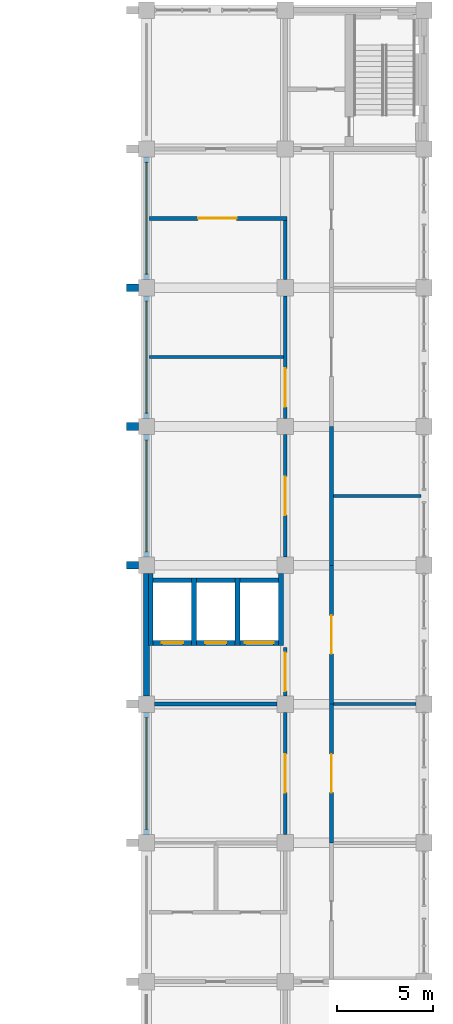
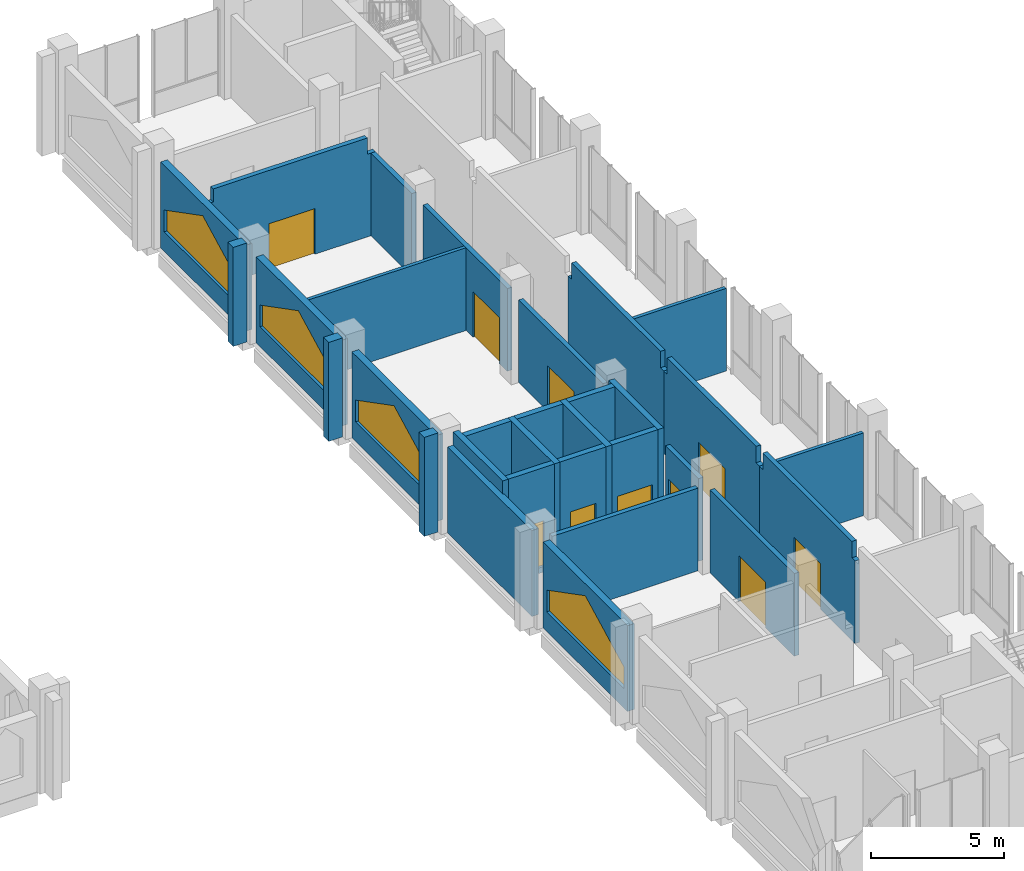
# One storey, part 35 of 40: 31 walls, 10 doors, 4 windows, 14 openings.
"""IFC4 building model written with IfcOpenShell, lengths in metres."""

from ifc_helpers import new_model, si_unit, direction, frame, frame_2d, origin, place, context, subcontext, project, spatial, polyline, rectangle, outline, extrude, material, layer, layer_set, type_object, element, fill, save


model = new_model("IFC4")

# Units and contexts
model_context = context("Model", 3, precision=1e-05, world=origin(), true_north=direction((0.0, 1.0)))
body_context = subcontext(model_context, "Body", "Model", "MODEL_VIEW")
ifc_project = project(units=[si_unit("LENGTHUNIT", "METRE"), si_unit("AREAUNIT", "SQUARE_METRE"), si_unit("VOLUMEUNIT", "CUBIC_METRE"), si_unit("PLANEANGLEUNIT", "RADIAN"), si_unit("MASSUNIT", "GRAM", prefix="KILO")], contexts=[model_context])

# Site, building, storey
site_placement = place(None, origin())
site = spatial("IfcSite", under=ifc_project, at=site_placement, CompositionType="ELEMENT")
building_placement = place(site_placement, origin())
building = spatial("IfcBuilding", under=site, at=building_placement, Name="Silangan Lancet Faculty of Sciences", CompositionType="ELEMENT")
storey_placement = place(building_placement, frame((0.0, 0.0, 16.800048828125)))
storey = spatial("IfcBuildingStorey", under=building, at=storey_placement, Name="L03", CompositionType="ELEMENT", Elevation=16.800048828125)

# Wall, opening, window
ifc_material_1 = material(Name="Concrete C40/50 precast", Category="concrete")
ifc_layer_1 = layer(ifc_material_1, 0.300048828125)
ifc_layer_set_1 = layer_set([ifc_layer_1], Name="Concrete C40/50 precast")
wall_type_1 = type_object("IfcWallType", Name="EW1 Precast cladding wall", PredefinedType="STANDARD", material=ifc_layer_set_1)
wall_1_placement = place(storey_placement, frame((72.0, 14.824951171875, 0.0), z_axis=(0.0, 0.0, 1.0), x_axis=(0.0, 1.0, 0.0)))
wall_1 = element("IfcWall", 1, at=wall_1_placement, inside=storey, type_object=wall_type_1, Name="EW-L03-W-EB-02", PredefinedType="STANDARD", context=body_context, shape_type="SweptSolid", body=[
    extrude(rectangle(XDim=6.35009765625, YDim=0.300048828125, at=frame_2d((3.175048828125, 0.0))), origin(), (0.0, 0.0, 1.0), 3.949951171875),
])
opening_1_placement = place(wall_1_placement, frame((0.27490234375, 0.0, 0.89990234375)))
opening_1 = element("IfcOpeningElement", 2, at=opening_1_placement, cuts=wall_1, Name="Opening W15", PredefinedType="OPENING", context=body_context, shape_type="SweptSolid", body=[
    extrude(outline(polyline([(0.0, 0.0), (5.800048828125, 0.0), (5.800048828125, 1.0), (2.89990234375, 2.5), (0.0, 1.0), (0.0, 0.0)])), frame((0.0, 0.159912109375, 0.0), z_axis=(0.0, -1.0, 0.0), x_axis=(1.0, 0.0, 0.0)), (0.0, 0.0, 1.0), 0.320068359375),
])
ifc_material_2 = material(Name="Aluminium frame, laminated double glazing", Category="aluminium")
window_type = type_object("IfcWindowType", Name="W15 Traceried bay window 5800 x 2500", PartitioningType="TRIPLE_PANEL_VERTICAL", PredefinedType="WINDOW", material=ifc_material_2)
window_1_placement = place(opening_1_placement, origin())
window_1 = element("IfcWindow", 3, at=window_1_placement, inside=storey, type_object=window_type, Name="WIN-L03-W-EB-02a", OverallHeight=2.5, OverallWidth=5.800048828125, PartitioningType="TRIPLE_PANEL_VERTICAL", PredefinedType="WINDOW", context=body_context, shape_type="SweptSolid", body=[
    extrude(outline(polyline([(0.0, 0.0), (5.800048828125, 0.0), (5.800048828125, 1.0), (2.89990234375, 2.5), (0.0, 1.0), (0.0, 0.0)])), frame((0.0, 0.030029296875, 0.0), z_axis=(0.0, -1.0, 0.0), x_axis=(1.0, 0.0, 0.0)), (0.0, 0.0, 1.0), 0.06005859375),
])
fill(opening_1, window_1)

# Wall
wall_2_placement = place(storey_placement, frame((72.0, 22.02490234375, 0.0), z_axis=(0.0, 0.0, 1.0), x_axis=(0.0, 1.0, 0.0)))
element("IfcWall", 4, at=wall_2_placement, inside=storey, type_object=wall_type_1, Name="EW-L03-W-EB-03", PredefinedType="STANDARD", context=body_context, shape_type="SweptSolid", body=[
    extrude(rectangle(XDim=6.35009765625, YDim=0.300048828125, at=frame_2d((3.175048828125, 0.0))), origin(), (0.0, 0.0, 1.0), 3.949951171875),
])

# Wall, opening, window
wall_3_placement = place(storey_placement, frame((72.0, 29.22509765625, 0.0), z_axis=(0.0, 0.0, 1.0), x_axis=(0.0, 1.0, 0.0)))
wall_3 = element("IfcWall", 5, at=wall_3_placement, inside=storey, type_object=wall_type_1, Name="EW-L03-W-EB-04", PredefinedType="STANDARD", context=body_context, shape_type="SweptSolid", body=[
    extrude(rectangle(XDim=6.349853515625, YDim=0.300048828125, at=frame_2d((3.1748046875, 0.0))), origin(), (0.0, 0.0, 1.0), 3.949951171875),
])
opening_2_placement = place(wall_3_placement, frame((0.27490234375, 0.0, 0.89990234375)))
opening_2 = element("IfcOpeningElement", 6, at=opening_2_placement, cuts=wall_3, Name="Opening W15", PredefinedType="OPENING", context=body_context, shape_type="SweptSolid", body=[
    extrude(outline(polyline([(0.0, 0.0), (5.800048828125, 0.0), (5.800048828125, 1.0), (2.89990234375, 2.5), (0.0, 1.0), (0.0, 0.0)])), frame((0.0, 0.159912109375, 0.0), z_axis=(0.0, -1.0, 0.0), x_axis=(1.0, 0.0, 0.0)), (0.0, 0.0, 1.0), 0.320068359375),
])
window_2_placement = place(opening_2_placement, origin())
window_2 = element("IfcWindow", 7, at=window_2_placement, inside=storey, type_object=window_type, Name="WIN-L03-W-EB-04a", OverallHeight=2.5, OverallWidth=5.800048828125, PartitioningType="TRIPLE_PANEL_VERTICAL", PredefinedType="WINDOW", context=body_context, shape_type="SweptSolid", body=[
    extrude(outline(polyline([(0.0, 0.0), (5.800048828125, 0.0), (5.800048828125, 1.0), (2.89990234375, 2.5), (0.0, 1.0), (0.0, 0.0)])), frame((0.0, 0.030029296875, 0.0), z_axis=(0.0, -1.0, 0.0), x_axis=(1.0, 0.0, 0.0)), (0.0, 0.0, 1.0), 0.06005859375),
])
fill(opening_2, window_2)

wall_4_placement = place(storey_placement, frame((72.0, 36.425048828125, 0.0), z_axis=(0.0, 0.0, 1.0), x_axis=(0.0, 1.0, 0.0)))
wall_4 = element("IfcWall", 8, at=wall_4_placement, inside=storey, type_object=wall_type_1, Name="EW-L03-W-EB-05", PredefinedType="STANDARD", context=body_context, shape_type="SweptSolid", body=[
    extrude(rectangle(XDim=6.349853515625, YDim=0.300048828125, at=frame_2d((3.1748046875, 0.0))), origin(), (0.0, 0.0, 1.0), 3.949951171875),
])
opening_3_placement = place(wall_4_placement, frame((0.27490234375, 0.0, 0.89990234375)))
opening_3 = element("IfcOpeningElement", 9, at=opening_3_placement, cuts=wall_4, Name="Opening W15", PredefinedType="OPENING", context=body_context, shape_type="SweptSolid", body=[
    extrude(outline(polyline([(0.0, 0.0), (5.800048828125, 0.0), (5.800048828125, 1.0), (2.89990234375, 2.5), (0.0, 1.0), (0.0, 0.0)])), frame((0.0, 0.159912109375, 0.0), z_axis=(0.0, -1.0, 0.0), x_axis=(1.0, 0.0, 0.0)), (0.0, 0.0, 1.0), 0.320068359375),
])
window_3_placement = place(opening_3_placement, origin())
window_3 = element("IfcWindow", 10, at=window_3_placement, inside=storey, type_object=window_type, Name="WIN-L03-W-EB-05a", OverallHeight=2.5, OverallWidth=5.800048828125, PartitioningType="TRIPLE_PANEL_VERTICAL", PredefinedType="WINDOW", context=body_context, shape_type="SweptSolid", body=[
    extrude(outline(polyline([(0.0, 0.0), (5.800048828125, 0.0), (5.800048828125, 1.0), (2.89990234375, 2.5), (0.0, 1.0), (0.0, 0.0)])), frame((0.0, 0.030029296875, 0.0), z_axis=(0.0, -1.0, 0.0), x_axis=(1.0, 0.0, 0.0)), (0.0, 0.0, 1.0), 0.06005859375),
])
fill(opening_3, window_3)

wall_5_placement = place(storey_placement, frame((72.0, 43.625, 0.0), z_axis=(0.0, 0.0, 1.0), x_axis=(0.0, 1.0, 0.0)))
wall_5 = element("IfcWall", 11, at=wall_5_placement, inside=storey, type_object=wall_type_1, Name="EW-L03-W-EB-06", PredefinedType="STANDARD", context=body_context, shape_type="SweptSolid", body=[
    extrude(rectangle(XDim=6.35009765625, YDim=0.300048828125, at=frame_2d((3.175048828125, 0.0))), origin(), (0.0, 0.0, 1.0), 3.949951171875),
])
opening_4_placement = place(wall_5_placement, frame((0.27490234375, 0.0, 0.89990234375)))
opening_4 = element("IfcOpeningElement", 12, at=opening_4_placement, cuts=wall_5, Name="Opening W15", PredefinedType="OPENING", context=body_context, shape_type="SweptSolid", body=[
    extrude(outline(polyline([(0.0, 0.0), (5.800048828125, 0.0), (5.800048828125, 1.0), (2.89990234375, 2.5), (0.0, 1.0), (0.0, 0.0)])), frame((0.0, 0.159912109375, 0.0), z_axis=(0.0, -1.0, 0.0), x_axis=(1.0, 0.0, 0.0)), (0.0, 0.0, 1.0), 0.320068359375),
])
window_4_placement = place(opening_4_placement, origin())
window_4 = element("IfcWindow", 13, at=window_4_placement, inside=storey, type_object=window_type, Name="WIN-L03-W-EB-06a", OverallHeight=2.5, OverallWidth=5.800048828125, PartitioningType="TRIPLE_PANEL_VERTICAL", PredefinedType="WINDOW", context=body_context, shape_type="SweptSolid", body=[
    extrude(outline(polyline([(0.0, 0.0), (5.800048828125, 0.0), (5.800048828125, 1.0), (2.89990234375, 2.5), (0.0, 1.0), (0.0, 0.0)])), frame((0.0, 0.030029296875, 0.0), z_axis=(0.0, -1.0, 0.0), x_axis=(1.0, 0.0, 0.0)), (0.0, 0.0, 1.0), 0.06005859375),
])
fill(opening_4, window_4)

# Walls
ifc_material_3 = material(Name="Concrete C40/50 precast", Category="concrete")
ifc_layer_2 = layer(ifc_material_3, 0.39990234375)
ifc_layer_set_2 = layer_set([ifc_layer_2], Name="Concrete C40/50 precast")
wall_type_2 = type_object("IfcWallType", Name="FN53 Buttress Fin column line stage 1 4550", PredefinedType="POLYGONAL", material=ifc_layer_set_2)
for number, where, z_axis, x_axis, name in (
    (14, (71.574951171875, 28.800048828125, 0.0), (0.0, 0.0, 1.0), (-1.0, 0.0, 0.0), "FINC-W-EB-05"),
    (15, (71.574951171875, 36.0, 0.0), (0.0, 0.0, 1.0), (-1.0, 0.0, 0.0), "FINC-W-EB-06"),
    (16, (71.574951171875, 43.199951171875, 0.0), (0.0, 0.0, 1.0), (-1.0, 0.0, 0.0), "FINC-W-EB-07"),
):
    element("IfcWall", number, at=place(storey_placement, frame(where, z_axis=z_axis, x_axis=x_axis)), inside=storey, type_object=wall_type_2, Name=name, PredefinedType="POLYGONAL", context=body_context, shape_type="SweptSolid", body=[
        extrude(outline(polyline([(0.60009765625, 0.0), (0.60009765625, 4.550048828125), (0.0, 4.550048828125), (0.0, 0.0), (0.60009765625, 0.0)])), frame((0.0, 0.199951171875, 0.0), z_axis=(0.0, -1.0, 0.0), x_axis=(1.0, 0.0, 0.0)), (0.0, 0.0, 1.0), 0.39990234375),
    ])

# Wall, opening, door
ifc_material_4 = material(Name="Hollow block masonry fm 7 MPa", Category="masonry")
ifc_layer_3 = layer(ifc_material_4, 0.199951171875)
ifc_layer_set_3 = layer_set([ifc_layer_3], Name="Hollow block masonry fm 7 MPa")
wall_type_3 = type_object("IfcWallType", Name="Interior wall PW1 Corridor wall CHB 200", PredefinedType="PARTITIONING", material=ifc_layer_set_3)
wall_6_placement = place(storey_placement, frame((72.14990234375, 46.800048828125, 0.0), z_axis=(0.0, 0.0, 1.0), x_axis=(1.0, 0.0, 0.0)))
wall_6 = element("IfcWall", 17, at=wall_6_placement, inside=storey, type_object=wall_type_3, Name="Corridor wall CHB 200", PredefinedType="PARTITIONING", context=body_context, shape_type="SweptSolid", body=[
    extrude(outline(polyline([(0.0, 0.0), (7.150146484375, 0.0), (7.150146484375, 3.800048828125), (6.800048828125, 3.800048828125), (6.800048828125, 4.550048828125), (0.10009765625, 4.550048828125), (0.10009765625, 3.949951171875), (0.0, 3.949951171875), (0.0, 0.0)])), frame((0.0, 0.10009765625, 0.0), z_axis=(0.0, -1.0, 0.0), x_axis=(1.0, 0.0, 0.0)), (0.0, 0.0, 1.0), 0.199951171875),
])
opening_5_placement = place(wall_6_placement, frame((2.525146484375, 0.0, 0.0)))
opening_5 = element("IfcOpeningElement", 18, at=opening_5_placement, cuts=wall_6, Name="Opening L03-042", PredefinedType="OPENING", context=body_context, shape_type="SweptSolid", body=[
    extrude(rectangle(XDim=2.0, YDim=2.10009765625, at=frame_2d((1.0, 1.050048828125))), frame((0.0, 0.10986328125, 0.0), z_axis=(0.0, -1.0, 0.0), x_axis=(1.0, 0.0, 0.0)), (0.0, 0.0, 1.0), 0.219970703125),
])
ifc_material_5 = material(Name="Steel fire door set", Category="steel")
door_type_1 = type_object("IfcDoorType", Name="Door D4 Double leaf fire door 2000 x 2100", OperationType="DOUBLE_DOOR_SINGLE_SWING", PredefinedType="DOOR", material=ifc_material_5)
door_1_placement = place(opening_5_placement, origin())
door_1 = element("IfcDoor", 19, at=door_1_placement, inside=storey, type_object=door_type_1, Name="Double leaf fire door 2000 x 2100", OperationType="DOUBLE_DOOR_SINGLE_SWING", OverallHeight=2.10009765625, OverallWidth=2.0, PredefinedType="DOOR", context=body_context, shape_type="SweptSolid", body=[
    extrude(rectangle(XDim=2.0, YDim=2.10009765625, at=frame_2d((1.0, 1.050048828125))), frame((0.0, 0.02490234375, 0.0), z_axis=(0.0, -1.0, 0.0), x_axis=(1.0, 0.0, 0.0)), (0.0, 0.0, 1.0), 0.050048828125),
])
fill(opening_5, door_1)

wall_7_placement = place(storey_placement, frame((79.199951171875, 14.824951171875, 0.0), z_axis=(0.0, 0.0, 1.0), x_axis=(0.0, 1.0, 0.0)))
wall_7 = element("IfcWall", 20, at=wall_7_placement, inside=storey, type_object=wall_type_3, Name="Corridor wall CHB 200", PredefinedType="PARTITIONING", context=body_context, shape_type="SweptSolid", body=[
    extrude(rectangle(XDim=6.35009765625, YDim=0.199951171875, at=frame_2d((3.175048828125, 0.0))), origin(), (0.0, 0.0, 1.0), 3.800048828125),
])
opening_6_placement = place(wall_7_placement, frame((2.175048828125, 0.0, 0.0)))
opening_6 = element("IfcOpeningElement", 21, at=opening_6_placement, cuts=wall_7, Name="Opening L03-039", PredefinedType="OPENING", context=body_context, shape_type="SweptSolid", body=[
    extrude(rectangle(XDim=2.0, YDim=2.10009765625, at=frame_2d((1.0, 1.050048828125))), frame((0.0, 0.10986328125, 0.0), z_axis=(0.0, -1.0, 0.0), x_axis=(1.0, 0.0, 0.0)), (0.0, 0.0, 1.0), 0.219970703125),
])
door_2_placement = place(opening_6_placement, origin())
door_2 = element("IfcDoor", 22, at=door_2_placement, inside=storey, type_object=door_type_1, Name="Double leaf fire door 2000 x 2100", OperationType="DOUBLE_DOOR_SINGLE_SWING", OverallHeight=2.10009765625, OverallWidth=2.0, PredefinedType="DOOR", context=body_context, shape_type="SweptSolid", body=[
    extrude(rectangle(XDim=2.0, YDim=2.10009765625, at=frame_2d((1.0, 1.050048828125))), frame((0.0, 0.02490234375, 0.0), z_axis=(0.0, -1.0, 0.0), x_axis=(1.0, 0.0, 0.0)), (0.0, 0.0, 1.0), 0.050048828125),
])
fill(opening_6, door_2)

wall_8_placement = place(storey_placement, frame((79.199951171875, 29.22509765625, 0.0), z_axis=(0.0, 0.0, 1.0), x_axis=(0.0, 1.0, 0.0)))
wall_8 = element("IfcWall", 23, at=wall_8_placement, inside=storey, type_object=wall_type_3, Name="Corridor wall CHB 200", PredefinedType="PARTITIONING", context=body_context, shape_type="SweptSolid", body=[
    extrude(rectangle(XDim=6.349853515625, YDim=0.199951171875, at=frame_2d((3.1748046875, 0.0))), origin(), (0.0, 0.0, 1.0), 3.800048828125),
])
opening_7_placement = place(wall_8_placement, frame((2.1748046875, 0.0, 0.0)))
opening_7 = element("IfcOpeningElement", 24, at=opening_7_placement, cuts=wall_8, Name="Opening L03-040", PredefinedType="OPENING", context=body_context, shape_type="SweptSolid", body=[
    extrude(rectangle(XDim=2.0, YDim=2.10009765625, at=frame_2d((1.0, 1.050048828125))), frame((0.0, 0.10986328125, 0.0), z_axis=(0.0, -1.0, 0.0), x_axis=(1.0, 0.0, 0.0)), (0.0, 0.0, 1.0), 0.219970703125),
])
door_3_placement = place(opening_7_placement, origin())
door_3 = element("IfcDoor", 25, at=door_3_placement, inside=storey, type_object=door_type_1, Name="Double leaf fire door 2000 x 2100", OperationType="DOUBLE_DOOR_SINGLE_SWING", OverallHeight=2.10009765625, OverallWidth=2.0, PredefinedType="DOOR", context=body_context, shape_type="SweptSolid", body=[
    extrude(rectangle(XDim=2.0, YDim=2.10009765625, at=frame_2d((1.0, 1.050048828125))), frame((0.0, 0.02490234375, 0.0), z_axis=(0.0, -1.0, 0.0), x_axis=(1.0, 0.0, 0.0)), (0.0, 0.0, 1.0), 0.050048828125),
])
fill(opening_7, door_3)

wall_9_placement = place(storey_placement, frame((79.199951171875, 36.425048828125, 0.0), z_axis=(0.0, 0.0, 1.0), x_axis=(0.0, 1.0, 0.0)))
wall_9 = element("IfcWall", 26, at=wall_9_placement, inside=storey, type_object=wall_type_3, Name="Corridor wall CHB 200", PredefinedType="PARTITIONING", context=body_context, shape_type="SweptSolid", body=[
    extrude(rectangle(XDim=6.349853515625, YDim=0.199951171875, at=frame_2d((3.1748046875, 0.0))), origin(), (0.0, 0.0, 1.0), 3.800048828125),
])
opening_8_placement = place(wall_9_placement, frame((0.58740234375, 0.0, 0.0)))
opening_8 = element("IfcOpeningElement", 27, at=opening_8_placement, cuts=wall_9, Name="Opening L03-041", PredefinedType="OPENING", context=body_context, shape_type="SweptSolid", body=[
    extrude(rectangle(XDim=2.0, YDim=2.10009765625, at=frame_2d((1.0, 1.050048828125))), frame((0.0, 0.10986328125, 0.0), z_axis=(0.0, -1.0, 0.0), x_axis=(1.0, 0.0, 0.0)), (0.0, 0.0, 1.0), 0.219970703125),
])
door_4_placement = place(opening_8_placement, origin())
door_4 = element("IfcDoor", 28, at=door_4_placement, inside=storey, type_object=door_type_1, Name="Double leaf fire door 2000 x 2100", OperationType="DOUBLE_DOOR_SINGLE_SWING", OverallHeight=2.10009765625, OverallWidth=2.0, PredefinedType="DOOR", context=body_context, shape_type="SweptSolid", body=[
    extrude(rectangle(XDim=2.0, YDim=2.10009765625, at=frame_2d((1.0, 1.050048828125))), frame((0.0, 0.02490234375, 0.0), z_axis=(0.0, -1.0, 0.0), x_axis=(1.0, 0.0, 0.0)), (0.0, 0.0, 1.0), 0.050048828125),
])
fill(opening_8, door_4)

# Wall
wall_10_placement = place(storey_placement, frame((79.199951171875, 43.625, 0.0), z_axis=(0.0, 0.0, 1.0), x_axis=(0.0, 1.0, 0.0)))
element("IfcWall", 29, at=wall_10_placement, inside=storey, type_object=wall_type_3, Name="Corridor wall CHB 200", PredefinedType="PARTITIONING", context=body_context, shape_type="SweptSolid", body=[
    extrude(rectangle(XDim=3.074951171875, YDim=0.199951171875, at=frame_2d((1.53759765625, 0.0))), origin(), (0.0, 0.0, 1.0), 3.800048828125),
])

# Wall, opening, door
wall_11_placement = place(storey_placement, frame((81.60009765625, 14.39990234375, 0.0), z_axis=(0.0, 0.0, 1.0), x_axis=(0.0, 1.0, 0.0)))
wall_11 = element("IfcWall", 30, at=wall_11_placement, inside=storey, type_object=wall_type_3, Name="Corridor wall CHB 200", PredefinedType="PARTITIONING", context=body_context, shape_type="SweptSolid", body=[
    extrude(outline(polyline([(0.0, 0.0), (7.2001953125, 0.0), (7.2001953125, 3.800048828125), (6.9501953125, 3.800048828125), (6.9501953125, 4.550048828125), (0.25, 4.550048828125), (0.25, 3.800048828125), (0.0, 3.800048828125), (0.0, 0.0)])), frame((0.0, 0.10009765625, 0.0), z_axis=(0.0, -1.0, 0.0), x_axis=(1.0, 0.0, 0.0)), (0.0, 0.0, 1.0), 0.199951171875),
])
opening_9_placement = place(wall_11_placement, frame((2.60009765625, 0.0, 0.0)))
opening_9 = element("IfcOpeningElement", 31, at=opening_9_placement, cuts=wall_11, Name="Opening L03-045", PredefinedType="OPENING", context=body_context, shape_type="SweptSolid", body=[
    extrude(rectangle(XDim=2.0, YDim=2.10009765625, at=frame_2d((1.0, 1.050048828125))), frame((0.0, 0.10986328125, 0.0), z_axis=(0.0, -1.0, 0.0), x_axis=(1.0, 0.0, 0.0)), (0.0, 0.0, 1.0), 0.219970703125),
])
door_5_placement = place(opening_9_placement, origin())
door_5 = element("IfcDoor", 32, at=door_5_placement, inside=storey, type_object=door_type_1, Name="Double leaf fire door 2000 x 2100", OperationType="DOUBLE_DOOR_SINGLE_SWING", OverallHeight=2.10009765625, OverallWidth=2.0, PredefinedType="DOOR", context=body_context, shape_type="SweptSolid", body=[
    extrude(rectangle(XDim=2.0, YDim=2.10009765625, at=frame_2d((1.0, 1.050048828125))), frame((0.0, 0.02490234375, 0.0), z_axis=(0.0, -1.0, 0.0), x_axis=(1.0, 0.0, 0.0)), (0.0, 0.0, 1.0), 0.050048828125),
])
fill(opening_9, door_5)

wall_12_placement = place(storey_placement, frame((81.60009765625, 21.60009765625, 0.0), z_axis=(0.0, 0.0, 1.0), x_axis=(0.0, 1.0, 0.0)))
wall_12 = element("IfcWall", 33, at=wall_12_placement, inside=storey, type_object=wall_type_3, Name="Corridor wall CHB 200", PredefinedType="PARTITIONING", context=body_context, shape_type="SweptSolid", body=[
    extrude(outline(polyline([(0.0, 0.0), (7.199951171875, 0.0), (7.199951171875, 3.800048828125), (6.949951171875, 3.800048828125), (6.949951171875, 4.550048828125), (0.25, 4.550048828125), (0.25, 3.800048828125), (0.0, 3.800048828125), (0.0, 0.0)])), frame((0.0, 0.10009765625, 0.0), z_axis=(0.0, -1.0, 0.0), x_axis=(1.0, 0.0, 0.0)), (0.0, 0.0, 1.0), 0.199951171875),
])
opening_10_placement = place(wall_12_placement, frame((2.60009765625, 0.0, 0.0)))
opening_10 = element("IfcOpeningElement", 34, at=opening_10_placement, cuts=wall_12, Name="Opening L03-046", PredefinedType="OPENING", context=body_context, shape_type="SweptSolid", body=[
    extrude(rectangle(XDim=2.0, YDim=2.10009765625, at=frame_2d((1.0, 1.050048828125))), frame((0.0, 0.10986328125, 0.0), z_axis=(0.0, -1.0, 0.0), x_axis=(1.0, 0.0, 0.0)), (0.0, 0.0, 1.0), 0.219970703125),
])
door_6_placement = place(opening_10_placement, origin())
door_6 = element("IfcDoor", 35, at=door_6_placement, inside=storey, type_object=door_type_1, Name="Double leaf fire door 2000 x 2100", OperationType="DOUBLE_DOOR_SINGLE_SWING", OverallHeight=2.10009765625, OverallWidth=2.0, PredefinedType="DOOR", context=body_context, shape_type="SweptSolid", body=[
    extrude(rectangle(XDim=2.0, YDim=2.10009765625, at=frame_2d((1.0, 1.050048828125))), frame((0.0, 0.02490234375, 0.0), z_axis=(0.0, -1.0, 0.0), x_axis=(1.0, 0.0, 0.0)), (0.0, 0.0, 1.0), 0.050048828125),
])
fill(opening_10, door_6)

# Walls
wall_13_placement = place(storey_placement, frame((81.60009765625, 28.800048828125, 0.0), z_axis=(0.0, 0.0, 1.0), x_axis=(0.0, 1.0, 0.0)))
element("IfcWall", 36, at=wall_13_placement, inside=storey, type_object=wall_type_3, Name="Corridor wall CHB 200", PredefinedType="PARTITIONING", context=body_context, shape_type="SweptSolid", body=[
    extrude(outline(polyline([(0.0, 0.0), (7.199951171875, 0.0), (7.199951171875, 3.800048828125), (6.949951171875, 3.800048828125), (6.949951171875, 4.550048828125), (0.25, 4.550048828125), (0.25, 3.800048828125), (0.0, 3.800048828125), (0.0, 0.0)])), frame((0.0, 0.10009765625, 0.0), z_axis=(0.0, -1.0, 0.0), x_axis=(1.0, 0.0, 0.0)), (0.0, 0.0, 1.0), 0.199951171875),
])
ifc_material_6 = material(Name="Hollow block masonry fm 7 MPa", Category="masonry")
ifc_layer_4 = layer(ifc_material_6, 0.14990234375)
ifc_layer_set_4 = layer_set([ifc_layer_4], Name="Hollow block masonry fm 7 MPa")
wall_type_4 = type_object("IfcWallType", Name="Interior wall PW3 Partition CHB 150", PredefinedType="PARTITIONING", material=ifc_layer_set_4)
wall_14_placement = place(storey_placement, frame((81.699951171875, 21.60009765625, 0.0), z_axis=(0.0, 0.0, 1.0), x_axis=(1.0, 0.0, 0.0)))
element("IfcWall", 37, at=wall_14_placement, inside=storey, type_object=wall_type_4, Name="Partition CHB 150", PredefinedType="PARTITIONING", context=body_context, shape_type="SweptSolid", body=[
    extrude(rectangle(XDim=4.275146484375, YDim=0.14990234375, at=frame_2d((2.1376953125, 0.0))), origin(), (0.0, 0.0, 1.0), 3.800048828125),
])
wall_15_placement = place(storey_placement, frame((81.699951171875, 32.39990234375, 0.0), z_axis=(0.0, 0.0, 1.0), x_axis=(1.0, 0.0, 0.0)))
element("IfcWall", 38, at=wall_15_placement, inside=storey, type_object=wall_type_4, Name="Partition CHB 150", PredefinedType="PARTITIONING", context=body_context, shape_type="SweptSolid", body=[
    extrude(rectangle(XDim=4.550048828125, YDim=0.14990234375, at=frame_2d((2.27490234375, 0.0))), origin(), (0.0, 0.0, 1.0), 3.800048828125),
])
wall_16_placement = place(storey_placement, frame((72.14990234375, 39.60009765625, 0.0), z_axis=(0.0, 0.0, 1.0), x_axis=(1.0, 0.0, 0.0)))
element("IfcWall", 39, at=wall_16_placement, inside=storey, type_object=wall_type_4, Name="Partition CHB 150", PredefinedType="PARTITIONING", context=body_context, shape_type="SweptSolid", body=[
    extrude(rectangle(XDim=6.9501953125, YDim=0.14990234375, at=frame_2d((3.47509765625, 0.0))), origin(), (0.0, 0.0, 1.0), 3.800048828125),
])
ifc_material_7 = material(Name="Hollow block masonry fm 7 MPa", Category="masonry")
ifc_layer_5 = layer(ifc_material_7, 0.199951171875)
ifc_layer_set_5 = layer_set([ifc_layer_5], Name="Hollow block masonry fm 7 MPa")
wall_type_5 = type_object("IfcWallType", Name="Interior wall PW9 Lift lobby wall CHB 200", PredefinedType="PARTITIONING", material=ifc_layer_set_5)
wall_17_placement = place(storey_placement, frame((72.425048828125, 21.60009765625, 0.0), z_axis=(0.0, 0.0, 1.0), x_axis=(1.0, 0.0, 0.0)))
element("IfcWall", 40, at=wall_17_placement, inside=storey, type_object=wall_type_5, Name="Lift lobby wall CHB 200", PredefinedType="PARTITIONING", context=body_context, shape_type="SweptSolid", body=[
    extrude(rectangle(XDim=6.349853515625, YDim=0.199951171875, at=frame_2d((3.1748046875, 0.0))), origin(), (0.0, 0.0, 1.0), 3.800048828125),
])

# Wall, opening, door
wall_18_placement = place(storey_placement, frame((79.199951171875, 22.02490234375, 0.0), z_axis=(0.0, 0.0, 1.0), x_axis=(0.0, 1.0, 0.0)))
wall_18 = element("IfcWall", 41, at=wall_18_placement, inside=storey, type_object=wall_type_5, Name="Lift lobby wall CHB 200", PredefinedType="PARTITIONING", context=body_context, shape_type="SweptSolid", body=[
    extrude(rectangle(XDim=2.5, YDim=0.199951171875, at=frame_2d((1.25, 0.0))), origin(), (0.0, 0.0, 1.0), 3.800048828125),
])
opening_11_placement = place(wall_18_placement, frame((0.25, 0.0, 0.0)))
opening_11 = element("IfcOpeningElement", 42, at=opening_11_placement, cuts=wall_18, Name="Opening L03-007", PredefinedType="OPENING", context=body_context, shape_type="SweptSolid", body=[
    extrude(rectangle(XDim=2.0, YDim=2.39990234375, at=frame_2d((1.0, 1.199951171875))), frame((0.0, 0.10986328125, 0.0), z_axis=(0.0, -1.0, 0.0), x_axis=(1.0, 0.0, 0.0)), (0.0, 0.0, 1.0), 0.219970703125),
])
ifc_material_8 = material(Name="Steel fire door set", Category="steel")
door_type_2 = type_object("IfcDoorType", Name="Door D5 Lift lobby double fire door 2000 x 2400", OperationType="DOUBLE_DOOR_SINGLE_SWING", PredefinedType="DOOR", material=ifc_material_8)
door_7_placement = place(opening_11_placement, origin())
door_7 = element("IfcDoor", 43, at=door_7_placement, inside=storey, type_object=door_type_2, Name="Lift lobby double fire door 2000 x 2400", OperationType="DOUBLE_DOOR_SINGLE_SWING", OverallHeight=2.39990234375, OverallWidth=2.0, PredefinedType="DOOR", context=body_context, shape_type="SweptSolid", body=[
    extrude(rectangle(XDim=2.0, YDim=2.39990234375, at=frame_2d((1.0, 1.199951171875))), frame((0.0, 0.02490234375, 0.0), z_axis=(0.0, -1.0, 0.0), x_axis=(1.0, 0.0, 0.0)), (0.0, 0.0, 1.0), 0.050048828125),
])
fill(opening_11, door_7)

# Walls
ifc_material_9 = material(Name="Concrete C40/50", Category="concrete")
ifc_layer_6 = layer(ifc_material_9, 0.25)
ifc_layer_set_6 = layer_set([ifc_layer_6], Name="Concrete C40/50")
wall_type_6 = type_object("IfcWallType", Name="LIFT SHAFT WALL RC 250", PredefinedType="SHEAR", material=ifc_layer_set_6)
wall_19_placement = place(storey_placement, frame((72.22509765625, 24.64990234375, -0.25), z_axis=(0.0, 0.0, 1.0), x_axis=(0.0, 1.0, 0.0)))
element("IfcWall", 44, at=wall_19_placement, inside=storey, type_object=wall_type_6, Name="WALL-L03-EB-SW1", PredefinedType="SHEAR", context=body_context, shape_type="SweptSolid", body=[
    extrude(rectangle(XDim=3.72509765625, YDim=0.25, at=frame_2d((1.862548828125, 0.0))), origin(), (0.0, 0.0, 1.0), 4.800048828125),
])
for number, where, z_axis, x_axis, name in (
    (45, (74.47509765625, 24.64990234375, -0.25), (0.0, 0.0, 1.0), (0.0, 1.0, 0.0), "WALL-L03-EB-SW2"),
    (46, (76.72509765625, 24.64990234375, -0.25), (0.0, 0.0, 1.0), (0.0, 1.0, 0.0), "WALL-L03-EB-SW3"),
):
    element("IfcWall", number, at=place(storey_placement, frame(where, z_axis=z_axis, x_axis=x_axis)), inside=storey, type_object=wall_type_6, Name=name, PredefinedType="SHEAR", context=body_context, shape_type="SweptSolid", body=[
        extrude(rectangle(XDim=3.5, YDim=0.25, at=frame_2d((1.75, 0.0))), origin(), (0.0, 0.0, 1.0), 4.800048828125),
    ])
wall_20_placement = place(storey_placement, frame((78.97509765625, 24.64990234375, -0.25), z_axis=(0.0, 0.0, 1.0), x_axis=(0.0, 1.0, 0.0)))
element("IfcWall", 47, at=wall_20_placement, inside=storey, type_object=wall_type_6, Name="WALL-L03-EB-SW4", PredefinedType="SHEAR", context=body_context, shape_type="SweptSolid", body=[
    extrude(rectangle(XDim=3.72509765625, YDim=0.25, at=frame_2d((1.862548828125, 0.0))), origin(), (0.0, 0.0, 1.0), 4.800048828125),
])

# Wall, opening, door
wall_21_placement = place(storey_placement, frame((72.35009765625, 24.77490234375, -0.25), z_axis=(0.0, 0.0, 1.0), x_axis=(1.0, 0.0, 0.0)))
wall_21 = element("IfcWall", 48, at=wall_21_placement, inside=storey, type_object=wall_type_6, Name="WALL-L03-EB-L1-F", PredefinedType="SHEAR", context=body_context, shape_type="SweptSolid", body=[
    extrude(rectangle(XDim=2.0, YDim=0.25, at=frame_2d((1.0, 0.0))), origin(), (0.0, 0.0, 1.0), 4.800048828125),
])
opening_12_placement = place(wall_21_placement, frame((0.449951171875, 0.0, 0.25)))
opening_12 = element("IfcOpeningElement", 49, at=opening_12_placement, cuts=wall_21, Name="Opening L03-801", PredefinedType="OPENING", context=body_context, shape_type="SweptSolid", body=[
    extrude(rectangle(XDim=1.10009765625, YDim=2.10009765625, at=frame_2d((0.550048828125, 1.050048828125))), frame((0.0, 0.135009765625, 0.0), z_axis=(0.0, -1.0, 0.0), x_axis=(1.0, 0.0, 0.0)), (0.0, 0.0, 1.0), 0.27001953125),
])
ifc_material_10 = material(Name="Stainless steel sliding door", Category="steel")
door_type_3 = type_object("IfcDoorType", Name="LD1 Lift landing door 1100x2100", OperationType="SLIDING_TO_LEFT", PredefinedType="DOOR", material=ifc_material_10)
door_8_placement = place(opening_12_placement, origin())
door_8 = element("IfcDoor", 50, at=door_8_placement, inside=storey, type_object=door_type_3, Name="Landing door EB-L1 L03", OperationType="SLIDING_TO_LEFT", OverallHeight=2.10009765625, OverallWidth=1.10009765625, PredefinedType="DOOR", context=body_context, shape_type="SweptSolid", body=[
    extrude(rectangle(XDim=1.10009765625, YDim=2.10009765625, at=frame_2d((0.550048828125, 1.050048828125))), frame((0.0, 0.02490234375, 0.0), z_axis=(0.0, -1.0, 0.0), x_axis=(1.0, 0.0, 0.0)), (0.0, 0.0, 1.0), 0.050048828125),
])
fill(opening_12, door_8)

# Wall
wall_22_placement = place(storey_placement, frame((72.35009765625, 28.02490234375, -0.25), z_axis=(0.0, 0.0, 1.0), x_axis=(1.0, 0.0, 0.0)))
element("IfcWall", 51, at=wall_22_placement, inside=storey, type_object=wall_type_6, Name="WALL-L03-EB-L1-B", PredefinedType="SHEAR", context=body_context, shape_type="SweptSolid", body=[
    extrude(rectangle(XDim=2.0, YDim=0.25, at=frame_2d((1.0, 0.0))), origin(), (0.0, 0.0, 1.0), 4.800048828125),
])

# Wall, opening, door
wall_23_placement = place(storey_placement, frame((74.60009765625, 24.77490234375, -0.25), z_axis=(0.0, 0.0, 1.0), x_axis=(1.0, 0.0, 0.0)))
wall_23 = element("IfcWall", 52, at=wall_23_placement, inside=storey, type_object=wall_type_6, Name="WALL-L03-EB-L2-F", PredefinedType="SHEAR", context=body_context, shape_type="SweptSolid", body=[
    extrude(rectangle(XDim=2.0, YDim=0.25, at=frame_2d((1.0, 0.0))), origin(), (0.0, 0.0, 1.0), 4.800048828125),
])
opening_13_placement = place(wall_23_placement, frame((0.449951171875, 0.0, 0.25)))
opening_13 = element("IfcOpeningElement", 53, at=opening_13_placement, cuts=wall_23, Name="Opening L03-802", PredefinedType="OPENING", context=body_context, shape_type="SweptSolid", body=[
    extrude(rectangle(XDim=1.10009765625, YDim=2.10009765625, at=frame_2d((0.550048828125, 1.050048828125))), frame((0.0, 0.135009765625, 0.0), z_axis=(0.0, -1.0, 0.0), x_axis=(1.0, 0.0, 0.0)), (0.0, 0.0, 1.0), 0.27001953125),
])
door_9_placement = place(opening_13_placement, origin())
door_9 = element("IfcDoor", 54, at=door_9_placement, inside=storey, type_object=door_type_3, Name="Landing door EB-L2 L03", OperationType="SLIDING_TO_LEFT", OverallHeight=2.10009765625, OverallWidth=1.10009765625, PredefinedType="DOOR", context=body_context, shape_type="SweptSolid", body=[
    extrude(rectangle(XDim=1.10009765625, YDim=2.10009765625, at=frame_2d((0.550048828125, 1.050048828125))), frame((0.0, 0.02490234375, 0.0), z_axis=(0.0, -1.0, 0.0), x_axis=(1.0, 0.0, 0.0)), (0.0, 0.0, 1.0), 0.050048828125),
])
fill(opening_13, door_9)

# Wall
wall_24_placement = place(storey_placement, frame((74.60009765625, 28.02490234375, -0.25), z_axis=(0.0, 0.0, 1.0), x_axis=(1.0, 0.0, 0.0)))
element("IfcWall", 55, at=wall_24_placement, inside=storey, type_object=wall_type_6, Name="WALL-L03-EB-L2-B", PredefinedType="SHEAR", context=body_context, shape_type="SweptSolid", body=[
    extrude(rectangle(XDim=2.0, YDim=0.25, at=frame_2d((1.0, 0.0))), origin(), (0.0, 0.0, 1.0), 4.800048828125),
])

# Wall, opening, door
wall_25_placement = place(storey_placement, frame((76.85009765625, 24.77490234375, -0.25), z_axis=(0.0, 0.0, 1.0), x_axis=(1.0, 0.0, 0.0)))
wall_25 = element("IfcWall", 56, at=wall_25_placement, inside=storey, type_object=wall_type_6, Name="WALL-L03-EB-L3-F", PredefinedType="SHEAR", context=body_context, shape_type="SweptSolid", body=[
    extrude(rectangle(XDim=2.0, YDim=0.25, at=frame_2d((1.0, 0.0))), origin(), (0.0, 0.0, 1.0), 4.800048828125),
])
opening_14_placement = place(wall_25_placement, frame((0.25, 0.0, 0.25)))
opening_14 = element("IfcOpeningElement", 57, at=opening_14_placement, cuts=wall_25, Name="Opening L03-803", PredefinedType="OPENING", context=body_context, shape_type="SweptSolid", body=[
    extrude(rectangle(XDim=1.5, YDim=2.10009765625, at=frame_2d((0.75, 1.050048828125))), frame((0.0, 0.135009765625, 0.0), z_axis=(0.0, -1.0, 0.0), x_axis=(1.0, 0.0, 0.0)), (0.0, 0.0, 1.0), 0.27001953125),
])
ifc_material_11 = material(Name="Steel sliding door", Category="steel")
door_type_4 = type_object("IfcDoorType", Name="LD2 Lift landing door 1500x2100", OperationType="SLIDING_TO_LEFT", PredefinedType="DOOR", material=ifc_material_11)
door_10_placement = place(opening_14_placement, origin())
door_10 = element("IfcDoor", 58, at=door_10_placement, inside=storey, type_object=door_type_4, Name="Landing door EB-L3 L03", OperationType="SLIDING_TO_LEFT", OverallHeight=2.10009765625, OverallWidth=1.5, PredefinedType="DOOR", context=body_context, shape_type="SweptSolid", body=[
    extrude(rectangle(XDim=1.5, YDim=2.10009765625, at=frame_2d((0.75, 1.050048828125))), frame((0.0, 0.02490234375, 0.0), z_axis=(0.0, -1.0, 0.0), x_axis=(1.0, 0.0, 0.0)), (0.0, 0.0, 1.0), 0.050048828125),
])
fill(opening_14, door_10)

# Wall
wall_26_placement = place(storey_placement, frame((76.85009765625, 28.02490234375, -0.25), z_axis=(0.0, 0.0, 1.0), x_axis=(1.0, 0.0, 0.0)))
element("IfcWall", 59, at=wall_26_placement, inside=storey, type_object=wall_type_6, Name="WALL-L03-EB-L3-B", PredefinedType="SHEAR", context=body_context, shape_type="SweptSolid", body=[
    extrude(rectangle(XDim=2.0, YDim=0.25, at=frame_2d((1.0, 0.0))), origin(), (0.0, 0.0, 1.0), 4.800048828125),
])

save(model, "model.ifc")
